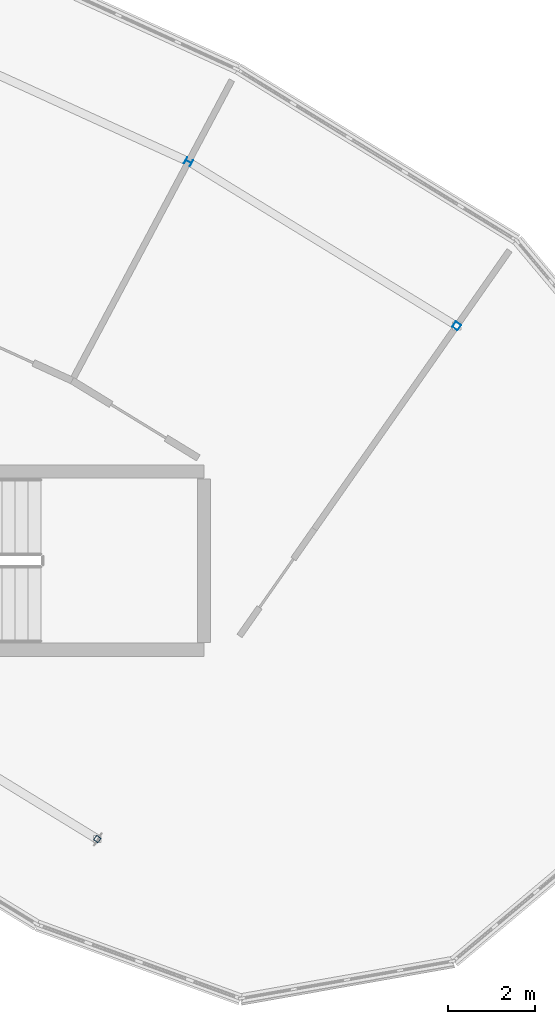
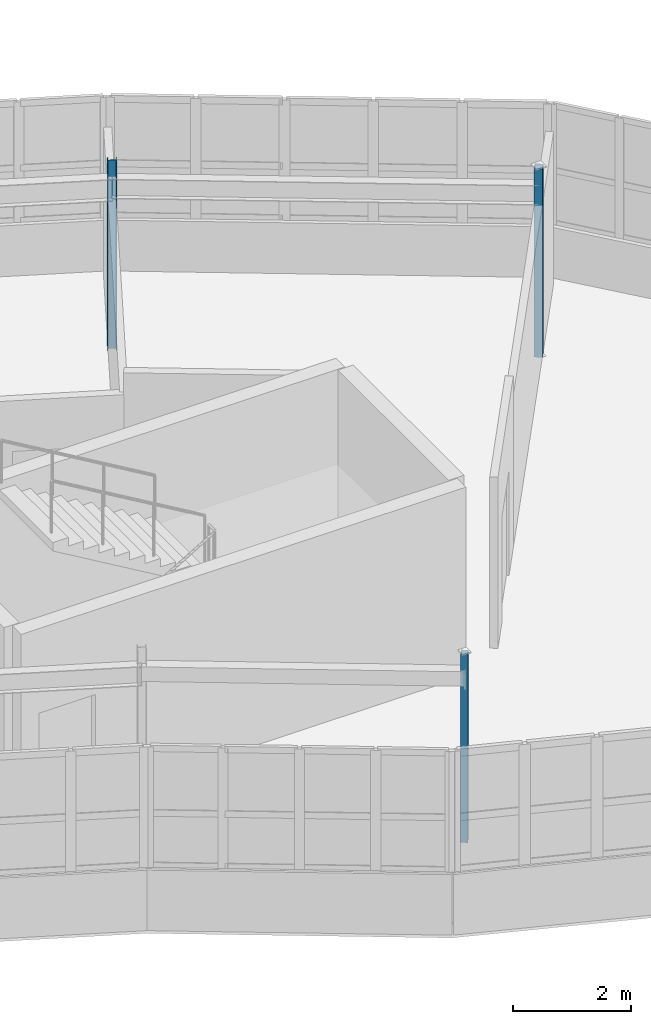
# One storey, part 16 of 79: 3 columns.
"""IFC4 building model written with IfcOpenShell, lengths in metres."""

from ifc_helpers import new_model, si_unit, direction, frame, origin, origin_2d, place, context, subcontext, project, spatial, hollow_rectangle, i_section, extrude, material, material_profile, profile_set, type_object, element, save


model = new_model("IFC4")

# Units and contexts
model_context = context("Model", 3, precision=1e-05, world=origin(), true_north=direction((0.0, 1.0)))
body_context = subcontext(model_context, "Body", "Model", "MODEL_VIEW")
ifc_project = project(units=[si_unit("LENGTHUNIT", "METRE"), si_unit("AREAUNIT", "SQUARE_METRE"), si_unit("VOLUMEUNIT", "CUBIC_METRE"), si_unit("PLANEANGLEUNIT", "RADIAN"), si_unit("MASSUNIT", "GRAM", prefix="KILO")], contexts=[model_context])

# Site, building, storey
site_placement = place(None, origin())
site = spatial("IfcSite", under=ifc_project, at=site_placement, CompositionType="ELEMENT")
building_placement = place(site_placement, origin())
building = spatial("IfcBuilding", under=site, at=building_placement, Name="Tarnwether General Hospital", CompositionType="ELEMENT")
storey_placement = place(building_placement, frame((0.0, 0.0, 18.300048828125)))
storey = spatial("IfcBuildingStorey", under=building, at=storey_placement, Name="L04", CompositionType="ELEMENT", Elevation=18.300048828125)

# Columns
ifc_material_1 = material(Name="Steel Grade 350 (350 MPa)", Category="steel")
ifc_material_profile_1 = material_profile(ifc_material_1, i_section(OverallWidth=0.153076171875, OverallDepth=0.157958984375, WebThickness=0.006591796875, FlangeThickness=0.009521484375, at=origin_2d()), Name="150UC30.0")
ifc_profile_set_1 = profile_set([ifc_material_profile_1], Name="Steel Grade 350 (350 MPa)")
column_type_1 = type_object("IfcColumnType", Name="COL-31", PredefinedType="COLUMN", material=ifc_profile_set_1)
column_1_placement = place(storey_placement, frame((119.79296875, 115.27001953125, 0.0), z_axis=(0.0, 0.0, 1.0), x_axis=(0.469471562786, 0.882947592859, 0.0)))
element("IfcColumn", 1, at=column_1_placement, inside=storey, type_object=column_type_1, Name="Column COLG-L04-11979_11527", PredefinedType="COLUMN", context=body_context, shape_type="SweptSolid", body=[
    extrude(i_section(OverallWidth=0.153076171875, OverallDepth=0.157958984375, WebThickness=0.006591796875, FlangeThickness=0.009521484375, at=origin_2d()), origin(), (0.0, 0.0, 1.0), 3.89990234375),
])
ifc_material_2 = material(Name="Steel Grade C350L0 (350 MPa)", Category="steel")
ifc_material_profile_2 = material_profile(ifc_material_2, hollow_rectangle(XDim=0.14990234375, YDim=0.14990234375, WallThickness=0.008056640625, at=origin_2d()), Name="SHS150x150x8")
ifc_profile_set_2 = profile_set([ifc_material_profile_2], Name="Steel Grade C350L0 (350 MPa)")
column_type_2 = type_object("IfcColumnType", Name="COL-33", PredefinedType="COLUMN", material=ifc_profile_set_2)
column_2_placement = place(storey_placement, frame((125.9560546875, 111.493896484375, 0.0), z_axis=(0.0, 0.0, 1.0), x_axis=(0.573576436351, 0.819152044289, 0.0)))
element("IfcColumn", 2, at=column_2_placement, inside=storey, type_object=column_type_2, Name="Column COLG-L04-12596_11149", PredefinedType="COLUMN", context=body_context, shape_type="SweptSolid", body=[
    extrude(hollow_rectangle(XDim=0.14990234375, YDim=0.14990234375, WallThickness=0.008056640625, at=origin_2d()), origin(), (0.0, 0.0, 1.0), 3.89990234375),
])
ifc_material_3 = material(Name="Steel Grade C350L0 (350 MPa)", Category="steel")
ifc_material_profile_3 = material_profile(ifc_material_3, hollow_rectangle(XDim=0.125, YDim=0.125, WallThickness=0.006103515625, at=origin_2d()), Name="SHS125x125x6")
ifc_profile_set_3 = profile_set([ifc_material_profile_3], Name="Steel Grade C350L0 (350 MPa)")
column_type_3 = type_object("IfcColumnType", Name="COL-34", PredefinedType="COLUMN", material=ifc_profile_set_3)
column_3_placement = place(storey_placement, frame((117.696044921875, 99.697998046875, 0.0), z_axis=(0.0, 0.0, 1.0), x_axis=(0.573576436351, 0.819152044289, 0.0)))
element("IfcColumn", 3, at=column_3_placement, inside=storey, type_object=column_type_3, Name="Column COLG-L04-11770_9970", PredefinedType="COLUMN", context=body_context, shape_type="SweptSolid", body=[
    extrude(hollow_rectangle(XDim=0.125, YDim=0.125, WallThickness=0.006103515625, at=origin_2d()), origin(), (0.0, 0.0, 1.0), 3.89990234375),
])

save(model, "model.ifc")
